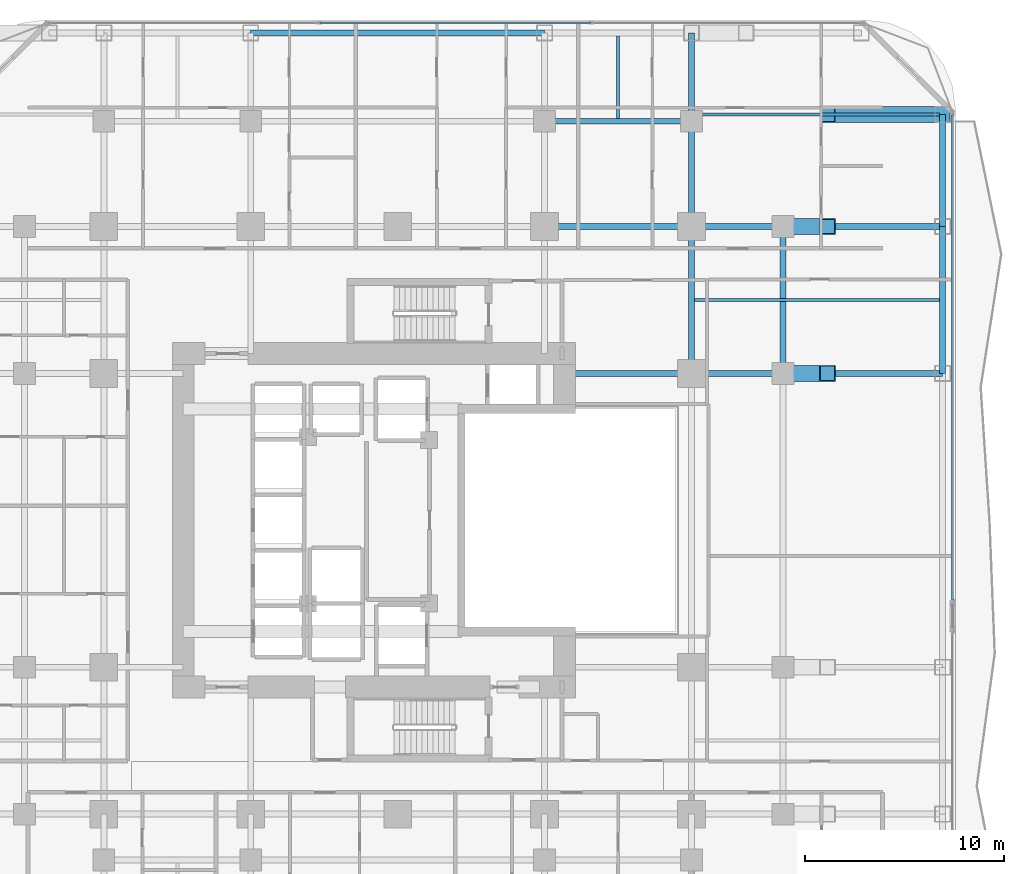
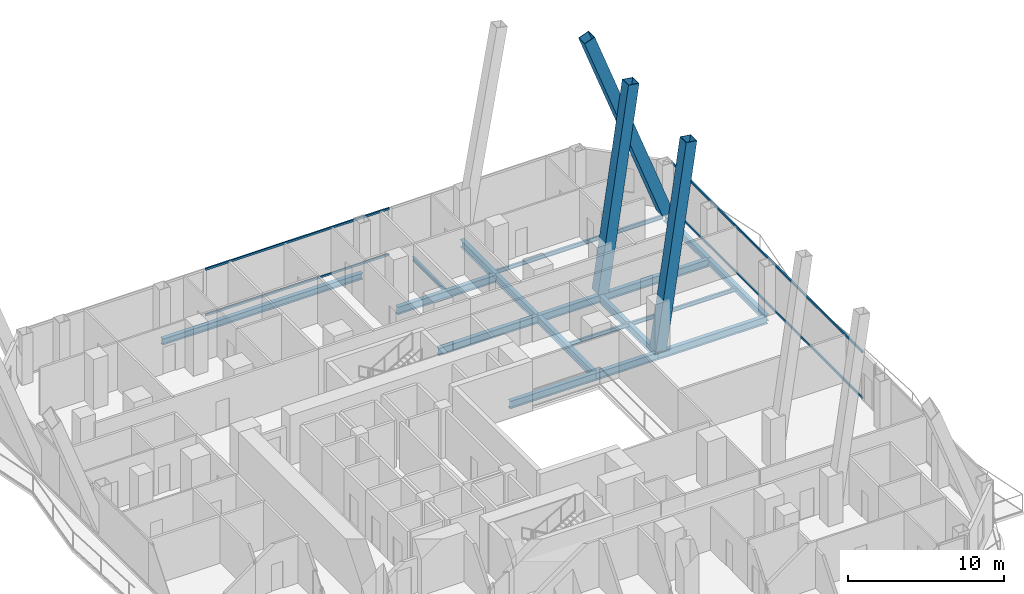
# One storey, part 20 of 33: 17 beams, 7 members, 2 elements without a shape of their own.
"""IFC4 building model written with IfcOpenShell, lengths in metres."""

from ifc_helpers import new_model, si_unit, direction, frame, origin, origin_2d, place, context, subcontext, project, spatial, hollow_rectangle, i_section, extrude, material, layer, layer_set, material_profile, profile_set, type_object, element, aggregate, save


model = new_model("IFC4")

# Units and contexts
model_context = context("Model", 3, precision=1e-05, world=origin(), true_north=direction((0.0, 1.0)))
body_context = subcontext(model_context, "Body", "Model", "MODEL_VIEW")
ifc_project = project(units=[si_unit("LENGTHUNIT", "METRE"), si_unit("AREAUNIT", "SQUARE_METRE"), si_unit("VOLUMEUNIT", "CUBIC_METRE"), si_unit("PLANEANGLEUNIT", "RADIAN"), si_unit("MASSUNIT", "GRAM", prefix="KILO")], contexts=[model_context])

# Site, building, storey
site_placement = place(None, origin())
site = spatial("IfcSite", under=ifc_project, at=site_placement, CompositionType="ELEMENT")
building_placement = place(site_placement, origin())
building = spatial("IfcBuilding", under=site, at=building_placement, Name="Khorvyn Point Tower", CompositionType="ELEMENT")
storey_placement = place(building_placement, frame((0.0, 0.0, 38.39990234375)))
storey = spatial("IfcBuildingStorey", under=building, at=storey_placement, Name="L10", CompositionType="ELEMENT", Elevation=38.39990234375)

# Curtain wall, members
ifc_material_1 = material(Name="Anodised aluminium 6063-T6 and laminated Low-E glass", Category="aluminium")
ifc_layer = layer(ifc_material_1, 0.18994140625)
ifc_layer_set = layer_set([ifc_layer], Name="Stick-Built Finned Residential Curtain Wall CW-SYS-02")
curtain_wall_type = type_object("IfcCurtainWallType", Name="Stick-Built Finned Residential Curtain Wall CW-SYS-02", PredefinedType="NOTDEFINED", material=ifc_layer_set)
curtain_wall_1_placement = place(storey_placement, origin())
curtain_wall_1 = element("IfcCurtainWall", 1, at=curtain_wall_1_placement, inside=storey, type_object=curtain_wall_type, Name="Curtain Wall", PredefinedType="NOTDEFINED")
ifc_material_2 = material(Name="Anodised aluminium 6063-T6", Category="aluminium")
ifc_material_profile_1 = material_profile(ifc_material_2, hollow_rectangle(XDim=0.10009765625, YDim=0.159912109375, WallThickness=0.00439453125, at=origin_2d()))
ifc_profile_set_1 = profile_set([ifc_material_profile_1], Name="Anodised aluminium 6063-T6 ALU-TRN-100x160")
member_type_1 = type_object("IfcMemberType", Name="Anodised Aluminium 6063-T6 Transom ALU-TRN-100x160", PredefinedType="USERDEFINED", material=ifc_profile_set_1)
member_1_placement = place(storey_placement, frame((-3.89990234375, 25.050048828125, 0.050048828125), z_axis=(1.0, 0.0, 0.0), x_axis=(0.0, 1.0, 0.0)))
member_1 = element("IfcMember", 2, at=member_1_placement, type_object=member_type_1, Name="Transom", ObjectType="TRANSOM", PredefinedType="USERDEFINED", context=body_context, shape_type="SweptSolid", body=[
    extrude(hollow_rectangle(XDim=0.10009765625, YDim=0.159912109375, WallThickness=0.00439453125, at=origin_2d()), origin(), (0.0, 0.0, 1.0), 13.599853515625),
])
member_2_placement = place(storey_placement, frame((-3.89990234375, 25.050048828125, 3.630126953125), z_axis=(1.0, 0.0, 0.0), x_axis=(0.0, 1.0, 0.0)))
member_2 = element("IfcMember", 3, at=member_2_placement, type_object=member_type_1, Name="Transom", ObjectType="TRANSOM", PredefinedType="USERDEFINED", context=body_context, shape_type="SweptSolid", body=[
    extrude(hollow_rectangle(XDim=0.10009765625, YDim=0.159912109375, WallThickness=0.00439453125, at=origin_2d()), origin(), (0.0, 0.0, 1.0), 13.599853515625),
])
aggregate(curtain_wall_1, [member_1, member_2])

curtain_wall_2_placement = place(storey_placement, origin())
curtain_wall_2 = element("IfcCurtainWall", 4, at=curtain_wall_2_placement, inside=storey, type_object=curtain_wall_type, Name="Curtain Wall", PredefinedType="NOTDEFINED")
member_3_placement = place(storey_placement, frame((27.949951171875, 20.449951171875, 0.050048828125), z_axis=(0.0, -1.0, 0.0), x_axis=(1.0, 0.0, 0.0)))
member_3 = element("IfcMember", 5, at=member_3_placement, type_object=member_type_1, Name="Transom", ObjectType="TRANSOM", PredefinedType="USERDEFINED", context=body_context, shape_type="SweptSolid", body=[
    extrude(hollow_rectangle(XDim=0.10009765625, YDim=0.159912109375, WallThickness=0.00439453125, at=origin_2d()), origin(), (0.0, 0.0, 1.0), 24.4599609375),
])
member_4_placement = place(storey_placement, frame((27.949951171875, 20.449951171875, 3.630126953125), z_axis=(0.0, -1.0, 0.0), x_axis=(1.0, 0.0, 0.0)))
member_4 = element("IfcMember", 6, at=member_4_placement, type_object=member_type_1, Name="Transom", ObjectType="TRANSOM", PredefinedType="USERDEFINED", context=body_context, shape_type="SweptSolid", body=[
    extrude(hollow_rectangle(XDim=0.10009765625, YDim=0.159912109375, WallThickness=0.00439453125, at=origin_2d()), origin(), (0.0, 0.0, 1.0), 24.4599609375),
])
aggregate(curtain_wall_2, [member_3, member_4])

# Beams
ifc_material_3 = material(Name="Steel S355", Category="steel")
ifc_material_profile_2 = material_profile(ifc_material_3, i_section(OverallWidth=0.300048828125, OverallDepth=0.587890625, WebThickness=0.011962890625, FlangeThickness=0.02001953125, at=origin_2d()))
ifc_profile_set_2 = profile_set([ifc_material_profile_2], Name="Steel S355 H588x300x12x20")
beam_type_1 = type_object("IfcBeamType", Name="Steel S355 Beam H588x300x12x20", PredefinedType="BEAM", material=ifc_profile_set_2)
beam_1_placement = place(storey_placement, frame((7.39990234375, 14.800048828125, -0.513916015625), z_axis=(1.0, 0.0, 0.0), x_axis=(0.0, 1.0, 0.0)))
element("IfcBeam", 7, at=beam_1_placement, inside=storey, type_object=beam_type_1, Name="Beam", PredefinedType="BEAM", context=body_context, shape_type="SweptSolid", body=[
    extrude(i_section(OverallWidth=0.300048828125, OverallDepth=0.587890625, WebThickness=0.011962890625, FlangeThickness=0.02001953125, at=origin_2d()), origin(), (0.0, 0.0, 1.0), 7.400146484375),
])
beam_2_placement = place(storey_placement, frame((14.800048828125, 14.800048828125, -0.513916015625), z_axis=(1.0, 0.0, 0.0), x_axis=(0.0, 1.0, 0.0)))
element("IfcBeam", 8, at=beam_2_placement, inside=storey, type_object=beam_type_1, Name="Beam", PredefinedType="BEAM", context=body_context, shape_type="SweptSolid", body=[
    extrude(i_section(OverallWidth=0.300048828125, OverallDepth=0.587890625, WebThickness=0.011962890625, FlangeThickness=0.02001953125, at=origin_2d()), origin(), (0.0, 0.0, 1.0), 4.599853515625),
])
beam_3_placement = place(storey_placement, frame((19.39990234375, 14.800048828125, -0.513916015625), z_axis=(1.0, 0.0, 0.0), x_axis=(0.0, 1.0, 0.0)))
element("IfcBeam", 9, at=beam_3_placement, inside=storey, type_object=beam_type_1, Name="Beam", PredefinedType="BEAM", context=body_context, shape_type="SweptSolid", body=[
    extrude(i_section(OverallWidth=0.300048828125, OverallDepth=0.587890625, WebThickness=0.011962890625, FlangeThickness=0.02001953125, at=origin_2d()), origin(), (0.0, 0.0, 1.0), 8.050048828125),
])
beam_4_placement = place(storey_placement, frame((8.39990234375, 7.39990234375, -0.513916015625), z_axis=(1.0, 0.0, 0.0), x_axis=(0.0, 1.0, 0.0)))
element("IfcBeam", 10, at=beam_4_placement, inside=storey, type_object=beam_type_1, Name="Beam", PredefinedType="BEAM", context=body_context, shape_type="SweptSolid", body=[
    extrude(i_section(OverallWidth=0.300048828125, OverallDepth=0.587890625, WebThickness=0.011962890625, FlangeThickness=0.02001953125, at=origin_2d()), origin(), (0.0, 0.0, 1.0), 6.400146484375),
])
beam_5_placement = place(storey_placement, frame((14.800048828125, 7.39990234375, -0.513916015625), z_axis=(1.0, 0.0, 0.0), x_axis=(0.0, 1.0, 0.0)))
element("IfcBeam", 11, at=beam_5_placement, inside=storey, type_object=beam_type_1, Name="Beam", PredefinedType="BEAM", context=body_context, shape_type="SweptSolid", body=[
    extrude(i_section(OverallWidth=0.300048828125, OverallDepth=0.587890625, WebThickness=0.011962890625, FlangeThickness=0.02001953125, at=origin_2d()), origin(), (0.0, 0.0, 1.0), 4.599853515625),
])
beam_6_placement = place(storey_placement, frame((19.39990234375, 7.39990234375, -0.513916015625), z_axis=(1.0, 0.0, 0.0), x_axis=(0.0, 1.0, 0.0)))
element("IfcBeam", 12, at=beam_6_placement, inside=storey, type_object=beam_type_1, Name="Beam", PredefinedType="BEAM", context=body_context, shape_type="SweptSolid", body=[
    extrude(i_section(OverallWidth=0.300048828125, OverallDepth=0.587890625, WebThickness=0.011962890625, FlangeThickness=0.02001953125, at=origin_2d()), origin(), (0.0, 0.0, 1.0), 8.050048828125),
])
for number, where, z_axis, x_axis, name in (
    (13, (7.39990234375, 20.10009765625, -0.513916015625), (1.0, 0.0, 0.0), (0.0, 1.0, 0.0), "Beam"),
    (14, (14.800048828125, 7.39990234375, -0.513916015625), (0.0, 1.0, 0.0), (-1.0, 0.0, 0.0), "Beam"),
):
    element("IfcBeam", number, at=place(storey_placement, frame(where, z_axis=z_axis, x_axis=x_axis)), inside=storey, type_object=beam_type_1, Name=name, PredefinedType="BEAM", context=body_context, shape_type="SweptSolid", body=[
        extrude(i_section(OverallWidth=0.300048828125, OverallDepth=0.587890625, WebThickness=0.011962890625, FlangeThickness=0.02001953125, at=origin_2d()), origin(), (0.0, 0.0, 1.0), 7.400146484375),
    ])
beam_7_placement = place(storey_placement, frame((14.800048828125, 14.800048828125, -0.513916015625), z_axis=(0.0, 1.0, 0.0), x_axis=(-1.0, 0.0, 0.0)))
element("IfcBeam", 15, at=beam_7_placement, inside=storey, type_object=beam_type_1, Name="Beam", PredefinedType="BEAM", context=body_context, shape_type="SweptSolid", body=[
    extrude(i_section(OverallWidth=0.300048828125, OverallDepth=0.587890625, WebThickness=0.011962890625, FlangeThickness=0.02001953125, at=origin_2d()), origin(), (0.0, 0.0, 1.0), 5.300048828125),
])
beam_8_placement = place(storey_placement, frame((14.800048828125, 20.10009765625, -0.513916015625), z_axis=(0.0, 1.0, 0.0), x_axis=(-1.0, 0.0, 0.0)))
element("IfcBeam", 16, at=beam_8_placement, inside=storey, type_object=beam_type_1, Name="Beam", PredefinedType="BEAM", context=body_context, shape_type="SweptSolid", body=[
    extrude(i_section(OverallWidth=0.300048828125, OverallDepth=0.587890625, WebThickness=0.011962890625, FlangeThickness=0.02001953125, at=origin_2d()), origin(), (0.0, 0.0, 1.0), 4.449951171875),
])
beam_9_placement = place(storey_placement, frame((19.39990234375, 7.39990234375, -0.513916015625), z_axis=(0.0, 1.0, 0.0), x_axis=(-1.0, 0.0, 0.0)))
element("IfcBeam", 17, at=beam_9_placement, inside=storey, type_object=beam_type_1, Name="Beam", PredefinedType="BEAM", context=body_context, shape_type="SweptSolid", body=[
    extrude(i_section(OverallWidth=0.300048828125, OverallDepth=0.587890625, WebThickness=0.011962890625, FlangeThickness=0.02001953125, at=origin_2d()), origin(), (0.0, 0.0, 1.0), 7.400146484375),
])
ifc_material_profile_3 = material_profile(ifc_material_3, i_section(OverallWidth=0.14990234375, OverallDepth=0.300048828125, WebThickness=0.006591796875, FlangeThickness=0.009033203125, at=origin_2d()))
ifc_profile_set_3 = profile_set([ifc_material_profile_3], Name="Steel S355 H300x150x6.5x9")
beam_type_2 = type_object("IfcBeamType", Name="Steel S355 Joist H300x150x6.5x9", PredefinedType="JOIST", material=ifc_profile_set_3)
beam_10_placement = place(storey_placement, frame((14.949951171875, 11.10009765625, -0.369873046875), z_axis=(1.0, 0.0, 0.0), x_axis=(0.0, 1.0, 0.0)))
element("IfcBeam", 18, at=beam_10_placement, inside=storey, type_object=beam_type_2, Name="Beam", PredefinedType="JOIST", context=body_context, shape_type="SweptSolid", body=[
    extrude(i_section(OverallWidth=0.14990234375, OverallDepth=0.300048828125, WebThickness=0.006591796875, FlangeThickness=0.009033203125, at=origin_2d()), origin(), (0.0, 0.0, 1.0), 12.35009765625),
])
beam_11_placement = place(storey_placement, frame((11.10009765625, 20.25, -0.369873046875), z_axis=(0.0, 1.0, 0.0), x_axis=(-1.0, 0.0, 0.0)))
element("IfcBeam", 19, at=beam_11_placement, inside=storey, type_object=beam_type_2, Name="Beam", PredefinedType="JOIST", context=body_context, shape_type="SweptSolid", body=[
    extrude(i_section(OverallWidth=0.14990234375, OverallDepth=0.300048828125, WebThickness=0.006591796875, FlangeThickness=0.009033203125, at=origin_2d()), origin(), (0.0, 0.0, 1.0), 4.14990234375),
])
beam_12_placement = place(storey_placement, frame((14.949951171875, 20.449951171875, -0.369873046875), z_axis=(1.0, 0.0, 0.0), x_axis=(0.0, 1.0, 0.0)))
element("IfcBeam", 20, at=beam_12_placement, inside=storey, type_object=beam_type_2, Name="Beam", PredefinedType="JOIST", context=body_context, shape_type="SweptSolid", body=[
    extrude(i_section(OverallWidth=0.14990234375, OverallDepth=0.300048828125, WebThickness=0.006591796875, FlangeThickness=0.009033203125, at=origin_2d()), origin(), (0.0, 0.0, 1.0), 12.35009765625),
])
ifc_material_profile_4 = material_profile(ifc_material_3, i_section(OverallWidth=0.300048828125, OverallDepth=0.488037109375, WebThickness=0.010986328125, FlangeThickness=0.01806640625, at=origin_2d()))
ifc_profile_set_4 = profile_set([ifc_material_profile_4], Name="Steel S355 H488x300x11x18")
beam_type_3 = type_object("IfcBeamType", Name="Steel S355 Spandrel H488x300x11x18", PredefinedType="SPANDREL", material=ifc_profile_set_4)
beam_13_placement = place(storey_placement, frame((-7.39990234375, 24.550048828125, -0.4638671875), z_axis=(1.0, 0.0, 0.0), x_axis=(0.0, 1.0, 0.0)))
element("IfcBeam", 21, at=beam_13_placement, inside=storey, type_object=beam_type_3, Name="Beam", PredefinedType="SPANDREL", context=body_context, shape_type="SweptSolid", body=[
    extrude(i_section(OverallWidth=0.300048828125, OverallDepth=0.488037109375, WebThickness=0.010986328125, FlangeThickness=0.01806640625, at=origin_2d()), origin(), (0.0, 0.0, 1.0), 14.7998046875),
])
beam_14_placement = place(storey_placement, frame((27.449951171875, 7.39990234375, -0.4638671875), z_axis=(0.0, 1.0, 0.0), x_axis=(-1.0, 0.0, 0.0)))
element("IfcBeam", 22, at=beam_14_placement, inside=storey, type_object=beam_type_3, Name="Beam", PredefinedType="SPANDREL", context=body_context, shape_type="SweptSolid", body=[
    extrude(i_section(OverallWidth=0.300048828125, OverallDepth=0.488037109375, WebThickness=0.010986328125, FlangeThickness=0.01806640625, at=origin_2d()), origin(), (0.0, 0.0, 1.0), 7.400146484375),
])
beam_15_placement = place(storey_placement, frame((27.449951171875, 14.800048828125, -0.4638671875), z_axis=(0.0, 1.0, 0.0), x_axis=(-1.0, 0.0, 0.0)))
element("IfcBeam", 23, at=beam_15_placement, inside=storey, type_object=beam_type_3, Name="Beam", PredefinedType="SPANDREL", context=body_context, shape_type="SweptSolid", body=[
    extrude(i_section(OverallWidth=0.300048828125, OverallDepth=0.488037109375, WebThickness=0.010986328125, FlangeThickness=0.01806640625, at=origin_2d()), origin(), (0.0, 0.0, 1.0), 5.64990234375),
])

# Members
ifc_material_4 = material(Name="Steel S450", Category="steel")
ifc_material_profile_5 = material_profile(ifc_material_4, hollow_rectangle(XDim=0.800048828125, YDim=0.800048828125, WallThickness=0.035888671875, at=origin_2d()))
ifc_profile_set_5 = profile_set([ifc_material_profile_5], Name="Steel S450 BOX800x800x36")
member_type_2 = type_object("IfcMemberType", Name="Steel S450 Exoskeleton Structural Post BOX800x800x36", PredefinedType="POST", material=ifc_profile_set_5)
member_5_placement = place(storey_placement, frame((27.449951171875, 20.449951171875, 0.0), z_axis=(-0.348488886408, 0.0, 0.937312912559), x_axis=(0.0, -1.0, 0.0)))
element("IfcMember", 24, at=member_5_placement, inside=storey, type_object=member_type_2, Name="L10 to L14 Exoskeleton Transfer Post 08", PredefinedType="POST", context=body_context, shape_type="SweptSolid", body=[
    extrude(hollow_rectangle(XDim=0.800048828125, YDim=0.800048828125, WallThickness=0.035888671875, at=origin_2d()), origin(), (0.0, 0.0, 1.0), 16.643310546875),
])
for number, where, z_axis, x_axis, name in (
    (25, (19.39990234375, 7.39990234375, 0.0), (0.142752719613, 0.0, 0.989758385184), (0.0, 1.0, 0.0), "L10 to L14 Exoskeleton Transfer Post 14"),
    (26, (19.39990234375, 14.800048828125, 0.0), (0.142752719613, 0.0, 0.989758385184), (0.0, 1.0, 0.0), "L10 to L14 Exoskeleton Transfer Post 16"),
):
    element("IfcMember", number, at=place(storey_placement, frame(where, z_axis=z_axis, x_axis=x_axis)), inside=storey, type_object=member_type_2, Name=name, PredefinedType="POST", context=body_context, shape_type="SweptSolid", body=[
        extrude(hollow_rectangle(XDim=0.800048828125, YDim=0.800048828125, WallThickness=0.035888671875, at=origin_2d()), origin(), (0.0, 0.0, 1.0), 15.761474609375),
    ])

save(model, "model.ifc")
